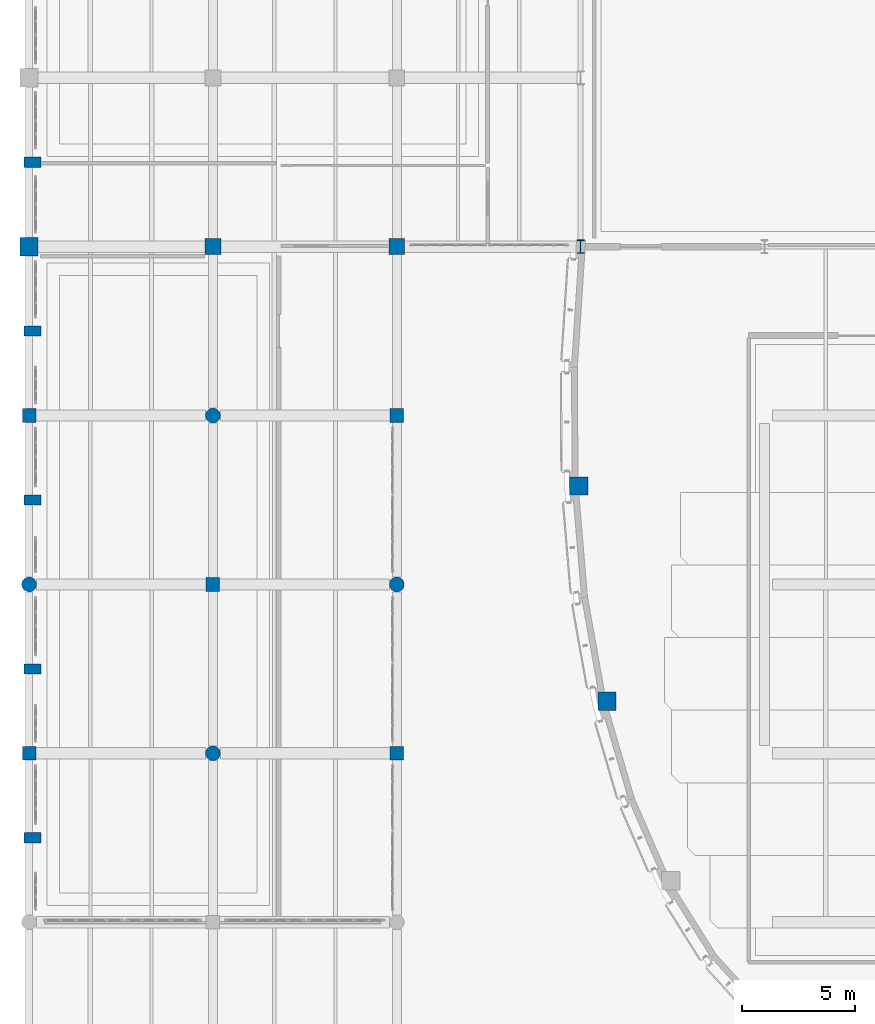
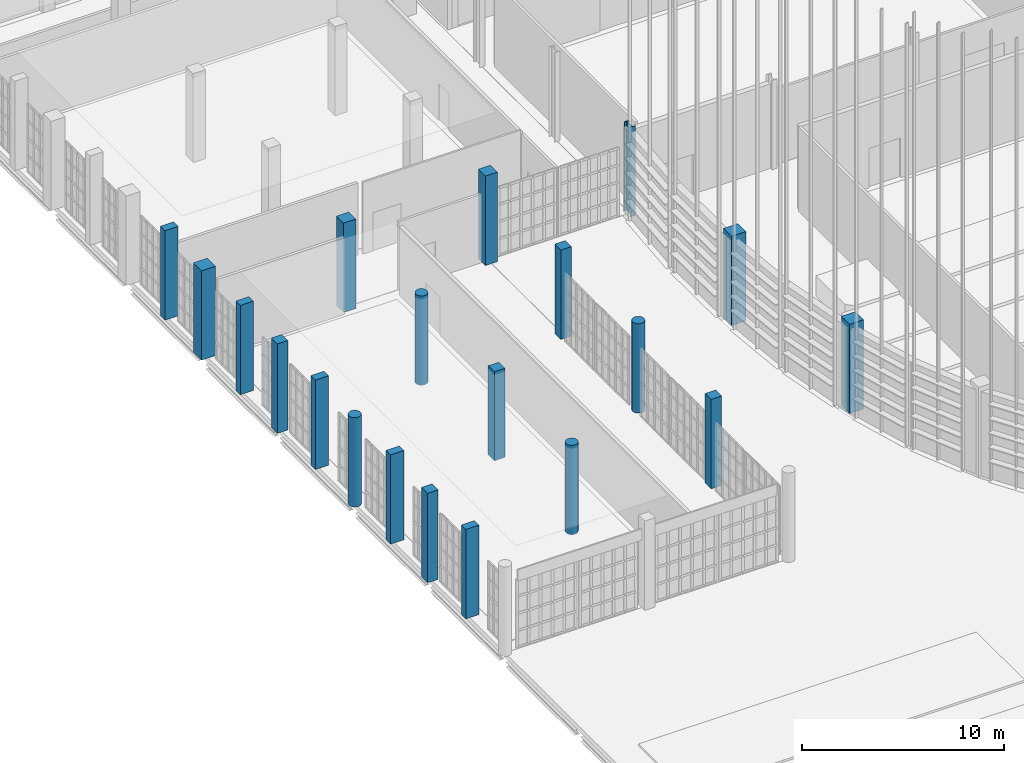
# One storey, part 2 of 372: 20 columns.
"""IFC4 building model written with IfcOpenShell, lengths in metres."""

from ifc_helpers import new_model, si_unit, direction, frame, origin, origin_2d, place, context, subcontext, project, spatial, rectangle, circle, i_section, extrude, material, material_profile, profile_set, type_object, element, save


model = new_model("IFC4")

# Units and contexts
model_context = context("Model", 3, precision=1e-05, world=origin(), true_north=direction((0.0, 1.0)))
body_context = subcontext(model_context, "Body", "Model", "MODEL_VIEW")
ifc_project = project(units=[si_unit("LENGTHUNIT", "METRE"), si_unit("AREAUNIT", "SQUARE_METRE"), si_unit("VOLUMEUNIT", "CUBIC_METRE"), si_unit("PLANEANGLEUNIT", "RADIAN"), si_unit("MASSUNIT", "GRAM", prefix="KILO")], contexts=[model_context])

# Site, building, storey
site_placement = place(None, origin())
site = spatial("IfcSite", under=ifc_project, at=site_placement, CompositionType="ELEMENT")
building_placement = place(site_placement, origin())
building = spatial("IfcBuilding", under=site, at=building_placement, Name="Kaelora Sail Theatre", CompositionType="ELEMENT")
storey_placement = place(building_placement, origin())
storey = spatial("IfcBuildingStorey", under=building, at=storey_placement, Name="L00", CompositionType="ELEMENT", Elevation=0.0)

# Columns
ifc_material_1 = material(Name="Steel S355", Category="steel")
ifc_material_profile_1 = material_profile(ifc_material_1, i_section(OverallWidth=0.300048828125, OverallDepth=0.60009765625, WebThickness=0.015380859375, FlangeThickness=0.030029296875, FilletRadius=0.027099609375, at=origin_2d()), Name="HEB 600")
ifc_profile_set_1 = profile_set([ifc_material_profile_1], Name="Steel S355")
column_type_1 = type_object("IfcColumnType", Name="STR-COL-C-HEB600", PredefinedType="COLUMN", material=ifc_profile_set_1)
column_placement = place(storey_placement, frame((25.800048828125, 61.02001953125, 0.0), z_axis=(0.0, 0.0, 1.0), x_axis=(1.0, 0.0, 0.0)))
element("IfcColumn", 1, at=column_placement, inside=storey, type_object=column_type_1, Name="Column 4/I (L00)", PredefinedType="COLUMN", context=body_context, shape_type="SweptSolid", body=[
    extrude(i_section(OverallWidth=0.300048828125, OverallDepth=0.60009765625, WebThickness=0.015380859375, FlangeThickness=0.030029296875, FilletRadius=0.027099609375, at=origin_2d()), origin(), (0.0, 0.0, 1.0), 5.39990234375),
])
ifc_material_2 = material(Name="Concrete C40/50", Category="concrete")
ifc_material_profile_2 = material_profile(ifc_material_2, rectangle(XDim=0.60009765625, YDim=0.60009765625, at=origin_2d()), Name="RC-COL 600x600")
ifc_profile_set_2 = profile_set([ifc_material_profile_2], Name="Concrete C40/50")
column_type_2 = type_object("IfcColumnType", Name="STR-COL-C-RC600", PredefinedType="COLUMN", material=ifc_profile_set_2)
for number, where, z_axis, x_axis, name in (
    (2, (1.5, 38.699951171875, 0.0), (0.0, 0.0, 1.0), (1.0, 0.0, 0.0), "Column 1/F (L00)"),
    (3, (1.5, 53.580078125, 0.0), (0.0, 0.0, 1.0), (1.0, 0.0, 0.0), "Column 1/H (L00)"),
    (4, (9.60009765625, 46.139892578125, 0.0), (0.0, 0.0, 1.0), (1.0, 0.0, 0.0), "Column 2/G (L00)"),
    (5, (17.699951171875, 38.699951171875, 0.0), (0.0, 0.0, 1.0), (1.0, 0.0, 0.0), "Column 3/F (L00)"),
    (6, (17.699951171875, 53.580078125, 0.0), (0.0, 0.0, 1.0), (1.0, 0.0, 0.0), "Column 3/H (L00)"),
):
    element("IfcColumn", number, at=place(storey_placement, frame(where, z_axis=z_axis, x_axis=x_axis)), inside=storey, type_object=column_type_2, Name=name, PredefinedType="COLUMN", context=body_context, shape_type="SweptSolid", body=[
        extrude(rectangle(XDim=0.60009765625, YDim=0.60009765625, at=origin_2d()), origin(), (0.0, 0.0, 1.0), 5.39990234375),
    ])
ifc_material_3 = material(Name="Concrete C45/55", Category="concrete")
ifc_material_profile_3 = material_profile(ifc_material_3, rectangle(XDim=0.699951171875, YDim=0.699951171875, at=origin_2d()), Name="RC-COL 700x700")
ifc_profile_set_3 = profile_set([ifc_material_profile_3], Name="Concrete C45/55")
column_type_3 = type_object("IfcColumnType", Name="STR-COL-C-RC700", PredefinedType="COLUMN", material=ifc_profile_set_3)
for number, where, z_axis, x_axis, name in (
    (7, (9.60009765625, 61.02001953125, 0.0), (0.0, 0.0, 1.0), (1.0, 0.0, 0.0), "Column 2/I (L00)"),
    (8, (17.699951171875, 61.02001953125, 0.0), (0.0, 0.0, 1.0), (1.0, 0.0, 0.0), "Column 3/I (L00)"),
):
    element("IfcColumn", number, at=place(storey_placement, frame(where, z_axis=z_axis, x_axis=x_axis)), inside=storey, type_object=column_type_3, Name=name, PredefinedType="COLUMN", context=body_context, shape_type="SweptSolid", body=[
        extrude(rectangle(XDim=0.699951171875, YDim=0.699951171875, at=origin_2d()), origin(), (0.0, 0.0, 1.0), 5.39990234375),
    ])
ifc_material_4 = material(Name="Concrete C50/60", Category="concrete")
ifc_material_profile_4 = material_profile(ifc_material_4, rectangle(XDim=0.800048828125, YDim=0.800048828125, at=origin_2d()), Name="RC-COL 800x800")
ifc_profile_set_4 = profile_set([ifc_material_profile_4], Name="Concrete C50/60")
column_type_4 = type_object("IfcColumnType", Name="STR-COL-C-RC800", PredefinedType="COLUMN", material=ifc_profile_set_4)
for number, where, z_axis, x_axis, name in (
    (9, (1.5, 61.02001953125, 0.0), (0.0, 0.0, 1.0), (1.0, 0.0, 0.0), "Column 1/I (L00)"),
    (10, (26.959716796875, 40.99072265625, 0.0), (0.0, 0.0, 1.0), (1.0, 0.0, 0.0), "Main drum perimeter column MK18 (L00)"),
    (11, (25.71630859375, 50.482421875, 0.0), (0.0, 0.0, 1.0), (1.0, 0.0, 0.0), "Main drum perimeter column MK20 (L00)"),
):
    element("IfcColumn", number, at=place(storey_placement, frame(where, z_axis=z_axis, x_axis=x_axis)), inside=storey, type_object=column_type_4, Name=name, PredefinedType="COLUMN", context=body_context, shape_type="SweptSolid", body=[
        extrude(rectangle(XDim=0.800048828125, YDim=0.800048828125, at=origin_2d()), origin(), (0.0, 0.0, 1.0), 5.39990234375),
    ])
ifc_material_5 = material(Name="Concrete C45/55", Category="concrete")
ifc_material_profile_5 = material_profile(ifc_material_5, circle(Radius=0.324951171875, at=origin_2d()), Name="RC-CCOL D650")
ifc_profile_set_5 = profile_set([ifc_material_profile_5], Name="Concrete C45/55")
column_type_5 = type_object("IfcColumnType", Name="STR-COL-C-RCD650", PredefinedType="COLUMN", material=ifc_profile_set_5)
for number, where, z_axis, x_axis, name in (
    (12, (1.5, 46.139892578125, 0.0), (0.0, 0.0, 1.0), (1.0, 0.0, 0.0), "Column 1/G (L00)"),
    (13, (9.60009765625, 38.699951171875, 0.0), (0.0, 0.0, 1.0), (1.0, 0.0, 0.0), "Column 2/F (L00)"),
    (14, (9.60009765625, 53.580078125, 0.0), (0.0, 0.0, 1.0), (1.0, 0.0, 0.0), "Column 2/H (L00)"),
    (15, (17.699951171875, 46.139892578125, 0.0), (0.0, 0.0, 1.0), (1.0, 0.0, 0.0), "Column 3/G (L00)"),
):
    element("IfcColumn", number, at=place(storey_placement, frame(where, z_axis=z_axis, x_axis=x_axis)), inside=storey, type_object=column_type_5, Name=name, PredefinedType="COLUMN", context=body_context, shape_type="SweptSolid", body=[
        extrude(circle(Radius=0.324951171875, at=origin_2d()), origin(), (0.0, 0.0, 1.0), 5.39990234375),
    ])
ifc_material_6 = material(Name="Precast concrete C45/55", Category="concrete")
ifc_material_profile_6 = material_profile(ifc_material_6, rectangle(XDim=0.449951171875, YDim=0.75, at=origin_2d()), Name="RC-PIL 450x750")
ifc_profile_set_6 = profile_set([ifc_material_profile_6], Name="Precast concrete C45/55")
column_type_6 = type_object("IfcColumnType", Name="STR-COL-PL-RC4575", PredefinedType="PILASTER", material=ifc_profile_set_6)
for number, where, z_axis, x_axis, name in (
    (16, (1.64990234375, 34.97998046875, 0.0), (0.0, 0.0, 1.0), (0.0, 1.0, 0.0), "Postmodern colonnade pilaster L00 W04"),
    (17, (1.64990234375, 42.419921875, 0.0), (0.0, 0.0, 1.0), (0.0, 1.0, 0.0), "Postmodern colonnade pilaster L00 W05"),
    (18, (1.64990234375, 49.860107421875, 0.0), (0.0, 0.0, 1.0), (0.0, 1.0, 0.0), "Postmodern colonnade pilaster L00 W06"),
    (19, (1.64990234375, 57.300048828125, 0.0), (0.0, 0.0, 1.0), (0.0, 1.0, 0.0), "Postmodern colonnade pilaster L00 W07"),
    (20, (1.64990234375, 64.739990234375, 0.0), (0.0, 0.0, 1.0), (0.0, 1.0, 0.0), "Postmodern colonnade pilaster L00 W08"),
):
    element("IfcColumn", number, at=place(storey_placement, frame(where, z_axis=z_axis, x_axis=x_axis)), inside=storey, type_object=column_type_6, Name=name, PredefinedType="PILASTER", context=body_context, shape_type="SweptSolid", body=[
        extrude(rectangle(XDim=0.449951171875, YDim=0.75, at=origin_2d()), origin(), (0.0, 0.0, 1.0), 5.39990234375),
    ])

save(model, "model.ifc")
